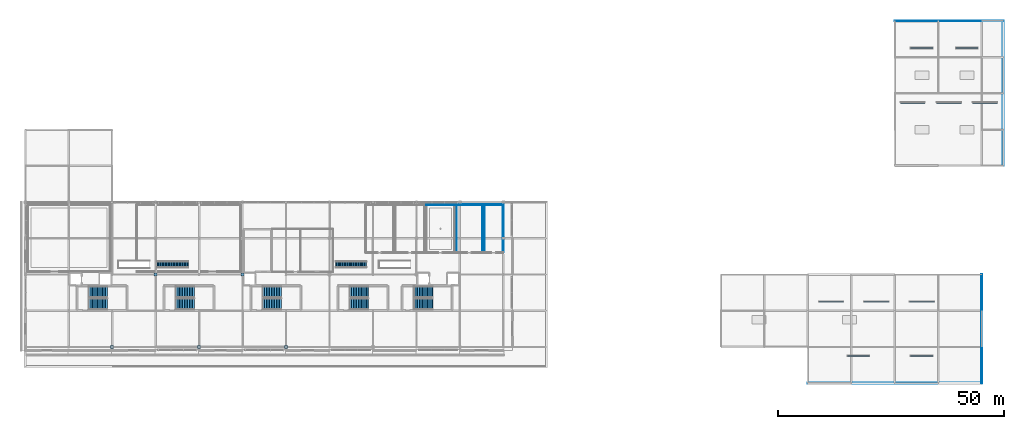
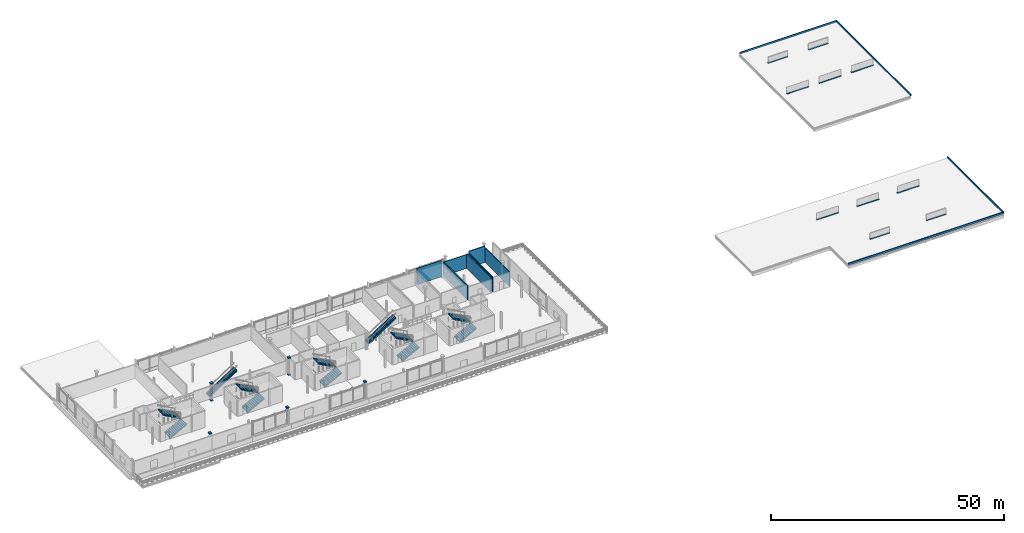
# One storey, part 26 of 36: 17 discrete accessories, 12 stair flights, 11 walls, 7 elements without a shape of their own.
"""IFC4 building model written with IfcOpenShell, lengths in metres."""

from ifc_helpers import new_model, si_unit, direction, frame, frame_2d, origin, origin_2d, place, context, subcontext, project, spatial, polyline, rectangle, outline, extrude, material, layer, layer_set, type_object, element, aggregate, save


model = new_model("IFC4")

# Units and contexts
model_context = context("Model", 3, precision=1e-05, world=origin(), true_north=direction((0.0, 1.0)))
body_context = subcontext(model_context, "Body", "Model", "MODEL_VIEW")
ifc_project = project(units=[si_unit("LENGTHUNIT", "METRE"), si_unit("AREAUNIT", "SQUARE_METRE"), si_unit("VOLUMEUNIT", "CUBIC_METRE"), si_unit("PLANEANGLEUNIT", "RADIAN"), si_unit("MASSUNIT", "GRAM", prefix="KILO")], contexts=[model_context])

# Site, building, storey
site_placement = place(None, origin())
site = spatial("IfcSite", under=ifc_project, at=site_placement, CompositionType="ELEMENT")
building_placement = place(site_placement, origin())
building = spatial("IfcBuilding", under=site, at=building_placement, Name="Danafjord Basin Convention Centre", CompositionType="ELEMENT")
storey_placement = place(building_placement, frame((0.0, 0.0, 20.39990234375)))
storey = spatial("IfcBuildingStorey", under=building, at=storey_placement, Name="L04", CompositionType="ELEMENT", Elevation=20.39990234375)

# Walls
ifc_material_1 = material(Name="Precast concrete C40/50", Category="concrete")
ifc_layer_1 = layer(ifc_material_1, 0.1650390625)
ifc_layer_set_1 = layer_set([ifc_layer_1], Name="Precast concrete C40/50")
wall_type_1 = type_object("IfcWallType", Name="WALL-EW-PRP165", PredefinedType="PARAPET", material=ifc_layer_set_1)
wall_1_placement = place(storey_placement, frame((192.0, 80.0, -0.419921875), z_axis=(0.0, 0.0, 1.0), x_axis=(1.0, 0.0, 0.0)))
element("IfcWall", 1, at=wall_1_placement, inside=storey, type_object=wall_type_1, Name="L04 precast roof curb upstand EW-PRP165", PredefinedType="PARAPET", context=body_context, shape_type="SweptSolid", body=[
    extrude(rectangle(XDim=24.0, YDim=0.1650390625, at=frame_2d((12.0, 0.0))), origin(), (0.0, 0.0, 1.0), 0.469970703125),
])
wall_2_placement = place(storey_placement, frame((216.0, 48.0, -0.419921875), z_axis=(0.0, 0.0, 1.0), x_axis=(0.0, 1.0, 0.0)))
element("IfcWall", 2, at=wall_2_placement, inside=storey, type_object=wall_type_1, Name="L04 precast roof curb upstand EW-PRP165", PredefinedType="PARAPET", context=body_context, shape_type="SweptSolid", body=[
    extrude(rectangle(XDim=32.0, YDim=0.1650390625, at=frame_2d((16.0, 0.0))), origin(), (0.0, 0.0, 1.0), 0.469970703125),
])
ifc_layer_2 = layer(ifc_material_1, 0.18994140625)
ifc_layer_set_2 = layer_set([ifc_layer_2], Name="Precast concrete C40/50")
wall_type_2 = type_object("IfcWallType", Name="WALL-EW-PRP190", PredefinedType="PARAPET", material=ifc_layer_set_2)
wall_3_placement = place(storey_placement, frame((172.800048828125, 0.0, -0.419921875), z_axis=(0.0, 0.0, 1.0), x_axis=(1.0, 0.0, 0.0)))
element("IfcWall", 3, at=wall_3_placement, inside=storey, type_object=wall_type_2, Name="L04 precast roof curb upstand EW-PRP190", PredefinedType="PARAPET", context=body_context, shape_type="SweptSolid", body=[
    extrude(rectangle(XDim=38.39990234375, YDim=0.18994140625, at=frame_2d((19.199951171875, 0.0))), origin(), (0.0, 0.0, 1.0), 0.469970703125),
])
wall_4_placement = place(storey_placement, frame((211.199951171875, 0.0, -0.419921875), z_axis=(0.0, 0.0, 1.0), x_axis=(0.0, 1.0, 0.0)))
element("IfcWall", 4, at=wall_4_placement, inside=storey, type_object=wall_type_2, Name="L04 precast roof curb upstand EW-PRP190", PredefinedType="PARAPET", context=body_context, shape_type="SweptSolid", body=[
    extrude(rectangle(XDim=24.0, YDim=0.18994140625, at=frame_2d((12.0, 0.0))), origin(), (0.0, 0.0, 1.0), 0.469970703125),
])
ifc_material_2 = material(Name="Acoustic double-board gypsum stud partition")
ifc_layer_3 = layer(ifc_material_2, 0.175048828125)
ifc_layer_set_3 = layer_set([ifc_layer_3], Name="Acoustic double-board gypsum stud partition")
wall_type_3 = type_object("IfcWallType", Name="WALL-PT-AC175", PredefinedType="PARTITIONING", material=ifc_layer_set_3)
wall_5_placement = place(storey_placement, frame((94.70849609375, 39.39990234375, 0.0), z_axis=(0.0, 0.0, 1.0), x_axis=(-1.0, 0.0, 0.0)))
element("IfcWall", 5, at=wall_5_placement, inside=storey, type_object=wall_type_3, Name="Ambassadors Conference Lounge north partition", PredefinedType="PARTITIONING", context=body_context, shape_type="SweptSolid", body=[
    extrude(rectangle(XDim=6.1083984375, YDim=0.175048828125, at=frame_2d((3.05419921875, 0.0))), origin(), (0.0, 0.0, 1.0), 4.25),
])
ifc_material_3 = material(Name="Concrete C35/45", Category="concrete")
ifc_layer_4 = layer(ifc_material_3, 0.205078125)
ifc_layer_set_4 = layer_set([ifc_layer_4], Name="Concrete C35/45")
wall_type_4 = type_object("IfcWallType", Name="WALL-W-COMP205", PredefinedType="SOLIDWALL", material=ifc_layer_set_4)
wall_6_placement = place(storey_placement, frame((101.0, 28.906494140625, 0.0), z_axis=(0.0, 0.0, 1.0), x_axis=(0.0, 1.0, 0.0)))
element("IfcWall", 6, at=wall_6_placement, inside=storey, type_object=wall_type_4, Name="Diplomatic Catering Kitchen east partition", PredefinedType="SOLIDWALL", context=body_context, shape_type="SweptSolid", body=[
    extrude(rectangle(XDim=10.493408203125, YDim=0.205078125, at=frame_2d((5.24658203125, 0.0))), origin(), (0.0, 0.0, 1.0), 3.840087890625),
])
wall_7_placement = place(storey_placement, frame((100.8935546875, 39.39990234375, 0.0), z_axis=(0.0, 0.0, 1.0), x_axis=(-1.0, 0.0, 0.0)))
element("IfcWall", 7, at=wall_7_placement, inside=storey, type_object=wall_type_4, Name="Diplomatic Catering Kitchen north partition", PredefinedType="SOLIDWALL", context=body_context, shape_type="SweptSolid", body=[
    extrude(rectangle(XDim=5.693603515625, YDim=0.205078125, at=frame_2d((2.8466796875, 0.0))), origin(), (0.0, 0.0, 1.0), 3.6201171875),
])
wall_8_placement = place(storey_placement, frame((95.199951171875, 39.29345703125, 0.0), z_axis=(0.0, 0.0, 1.0), x_axis=(0.0, -1.0, 0.0)))
element("IfcWall", 8, at=wall_8_placement, inside=storey, type_object=wall_type_4, Name="Diplomatic Catering Kitchen west partition", PredefinedType="SOLIDWALL", context=body_context, shape_type="SweptSolid", body=[
    extrude(rectangle(XDim=10.386962890625, YDim=0.205078125, at=frame_2d((5.193359375, 0.0))), origin(), (0.0, 0.0, 1.0), 3.72998046875),
])
wall_9_placement = place(storey_placement, frame((105.56005859375, 28.906494140625, 0.0), z_axis=(0.0, 0.0, 1.0), x_axis=(0.0, 1.0, 0.0)))
element("IfcWall", 9, at=wall_9_placement, inside=storey, type_object=wall_type_4, Name="Protocol Furniture Crate Store east partition", PredefinedType="SOLIDWALL", context=body_context, shape_type="SweptSolid", body=[
    extrude(rectangle(XDim=10.493408203125, YDim=0.205078125, at=frame_2d((5.24658203125, 0.0))), origin(), (0.0, 0.0, 1.0), 3.780029296875),
])
wall_10_placement = place(storey_placement, frame((105.45361328125, 39.39990234375, 0.0), z_axis=(0.0, 0.0, 1.0), x_axis=(-1.0, 0.0, 0.0)))
element("IfcWall", 10, at=wall_10_placement, inside=storey, type_object=wall_type_4, Name="Protocol Furniture Crate Store north partition", PredefinedType="SOLIDWALL", context=body_context, shape_type="SweptSolid", body=[
    extrude(rectangle(XDim=4.0537109375, YDim=0.205078125, at=frame_2d((2.02685546875, 0.0))), origin(), (0.0, 0.0, 1.0), 4.260009765625),
])
wall_11_placement = place(storey_placement, frame((101.39990234375, 39.29345703125, 0.0), z_axis=(0.0, 0.0, 1.0), x_axis=(0.0, -1.0, 0.0)))
element("IfcWall", 11, at=wall_11_placement, inside=storey, type_object=wall_type_4, Name="Protocol Furniture Crate Store west partition", PredefinedType="SOLIDWALL", context=body_context, shape_type="SweptSolid", body=[
    extrude(rectangle(XDim=10.386962890625, YDim=0.205078125, at=frame_2d((5.193359375, 0.0))), origin(), (0.0, 0.0, 1.0), 3.840087890625),
])

# Stair, stair flights
ifc_material_4 = material(Name="Concrete C40/50", Category="concrete")
stair_type_1 = type_object("IfcStairType", Name="STAIR-STR-C01", PredefinedType="TWO_STRAIGHT_RUN_STAIR", material=ifc_material_4)
stair_1_placement = place(storey_placement, origin())
stair_1 = element("IfcStair", 12, at=stair_1_placement, inside=storey, type_object=stair_type_1, Name="L04 West Harbour Core Stair 1", PredefinedType="HALF_TURN_STAIR")
stair_flight_type = type_object("IfcStairFlightType", Name="SFLT-STD", PredefinedType="STRAIGHT", material=ifc_material_1)
stair_flight_1_placement = place(storey_placement, frame((14.1298828125, 17.4599609375, 0.0), z_axis=(0.0, 0.0, 1.0), x_axis=(1.0, 0.0, 0.0)))
stair_flight_1 = element("IfcStairFlight", 13, at=stair_flight_1_placement, type_object=stair_flight_type, Name="ST-01 flight 1", NumberOfRisers=12, NumberOfTreads=11, PredefinedType="STRAIGHT", RiserHeight=0.1875, TreadLength=0.365, context=body_context, shape_type="SweptSolid", body=[
    extrude(outline(polyline([(-0.06494140625, -0.14990234375), (-0.06494140625, -0.00390625), (0.0, -0.00390625), (0.0, 0.1875), (0.364990234375, 0.1875), (0.364990234375, 0.375), (0.72998046875, 0.375), (0.72998046875, 0.5625), (1.094970703125, 0.5625), (1.094970703125, 0.75), (1.4599609375, 0.75), (1.4599609375, 0.9375), (1.824951171875, 0.9375), (1.824951171875, 1.125), (2.18994140625, 1.125), (2.18994140625, 1.3125), (2.554931640625, 1.3125), (2.554931640625, 1.5), (2.919921875, 1.5), (2.919921875, 1.6875), (3.284912109375, 1.6875), (3.284912109375, 1.875), (3.64990234375, 1.875), (3.64990234375, 2.0625), (4.014892578125, 2.0625), (4.014892578125, 2.25), (4.080078125, 2.24609375), (4.080078125, 1.89404296875), (0.328125, -0.14990234375), (-0.06494140625, -0.14990234375)])), frame((0.0, 1.25, 0.0), z_axis=(0.0, -1.0, 0.0), x_axis=(1.0, 0.0, 0.0)), (0.0, 0.0, 1.0), 2.5),
])
stair_flight_2_placement = place(storey_placement, frame((18.14501953125, 20.10009765625, 2.25), z_axis=(0.0, 0.0, 1.0), x_axis=(-1.0, 0.0, 0.0)))
stair_flight_2 = element("IfcStairFlight", 14, at=stair_flight_2_placement, type_object=stair_flight_type, Name="ST-01 flight 2", NumberOfRisers=12, NumberOfTreads=11, PredefinedType="STRAIGHT", RiserHeight=0.1875, TreadLength=0.365, context=body_context, shape_type="SweptSolid", body=[
    extrude(outline(polyline([(-0.06494140625, -0.14990234375), (-0.06494140625, -0.00390625), (0.0, -0.00390625), (0.0, 0.1875), (0.364990234375, 0.1875), (0.364990234375, 0.375), (0.72998046875, 0.375), (0.72998046875, 0.5625), (1.094970703125, 0.5625), (1.094970703125, 0.75), (1.4599609375, 0.75), (1.4599609375, 0.9375), (1.824951171875, 0.9375), (1.824951171875, 1.125), (2.18994140625, 1.125), (2.18994140625, 1.3125), (2.554931640625, 1.3125), (2.554931640625, 1.5), (2.919921875, 1.5), (2.919921875, 1.6875), (3.284912109375, 1.6875), (3.284912109375, 1.875), (3.64990234375, 1.875), (3.64990234375, 2.0625), (4.014892578125, 2.0625), (4.014892578125, 2.25), (4.080078125, 2.24609375), (4.080078125, 1.89404296875), (0.328125, -0.14990234375), (-0.06494140625, -0.14990234375)])), frame((0.0, 1.25, 0.0), z_axis=(0.0, -1.0, 0.0), x_axis=(1.0, 0.0, 0.0)), (0.0, 0.0, 1.0), 2.5),
])
aggregate(stair_1, [stair_flight_1, stair_flight_2])

stair_2_placement = place(storey_placement, origin())
stair_2 = element("IfcStair", 15, at=stair_2_placement, inside=storey, type_object=stair_type_1, Name="L04 Central Harbour Core Stair 1", PredefinedType="HALF_TURN_STAIR")
stair_flight_3_placement = place(storey_placement, frame((85.929931640625, 17.4599609375, 0.0), z_axis=(0.0, 0.0, 1.0), x_axis=(1.0, 0.0, 0.0)))
stair_flight_3 = element("IfcStairFlight", 16, at=stair_flight_3_placement, type_object=stair_flight_type, Name="ST-03 flight 1", NumberOfRisers=12, NumberOfTreads=11, PredefinedType="STRAIGHT", RiserHeight=0.1875, TreadLength=0.365, context=body_context, shape_type="SweptSolid", body=[
    extrude(outline(polyline([(-0.06494140625, -0.14990234375), (-0.06494140625, -0.00390625), (0.0, -0.00390625), (0.0, 0.1875), (0.364990234375, 0.1875), (0.364990234375, 0.375), (0.72998046875, 0.375), (0.72998046875, 0.5625), (1.094970703125, 0.5625), (1.094970703125, 0.75), (1.4599609375, 0.75), (1.4599609375, 0.9375), (1.824951171875, 0.9375), (1.824951171875, 1.125), (2.18994140625, 1.125), (2.18994140625, 1.3125), (2.554931640625, 1.3125), (2.554931640625, 1.5), (2.919921875, 1.5), (2.919921875, 1.6875), (3.284912109375, 1.6875), (3.284912109375, 1.875), (3.64990234375, 1.875), (3.64990234375, 2.0625), (4.014892578125, 2.0625), (4.014892578125, 2.25), (4.080078125, 2.24609375), (4.080078125, 1.89404296875), (0.328125, -0.14990234375), (-0.06494140625, -0.14990234375)])), frame((0.0, 1.25, 0.0), z_axis=(0.0, -1.0, 0.0), x_axis=(1.0, 0.0, 0.0)), (0.0, 0.0, 1.0), 2.5),
])
stair_flight_4_placement = place(storey_placement, frame((89.945068359375, 20.10009765625, 2.25), z_axis=(0.0, 0.0, 1.0), x_axis=(-1.0, 0.0, 0.0)))
stair_flight_4 = element("IfcStairFlight", 17, at=stair_flight_4_placement, type_object=stair_flight_type, Name="ST-03 flight 2", NumberOfRisers=12, NumberOfTreads=11, PredefinedType="STRAIGHT", RiserHeight=0.1875, TreadLength=0.365, context=body_context, shape_type="SweptSolid", body=[
    extrude(outline(polyline([(-0.06494140625, -0.14990234375), (-0.06494140625, -0.00390625), (0.0, -0.00390625), (0.0, 0.1875), (0.364990234375, 0.1875), (0.364990234375, 0.375), (0.72998046875, 0.375), (0.72998046875, 0.5625), (1.094970703125, 0.5625), (1.094970703125, 0.75), (1.4599609375, 0.75), (1.4599609375, 0.9375), (1.824951171875, 0.9375), (1.824951171875, 1.125), (2.18994140625, 1.125), (2.18994140625, 1.3125), (2.554931640625, 1.3125), (2.554931640625, 1.5), (2.919921875, 1.5), (2.919921875, 1.6875), (3.284912109375, 1.6875), (3.284912109375, 1.875), (3.64990234375, 1.875), (3.64990234375, 2.0625), (4.014892578125, 2.0625), (4.014892578125, 2.25), (4.080078125, 2.24609375), (4.080078125, 1.89404296875), (0.328125, -0.14990234375), (-0.06494140625, -0.14990234375)])), frame((0.0, 1.25, 0.0), z_axis=(0.0, -1.0, 0.0), x_axis=(1.0, 0.0, 0.0)), (0.0, 0.0, 1.0), 2.5),
])
aggregate(stair_2, [stair_flight_3, stair_flight_4])

stair_3_placement = place(storey_placement, origin())
stair_3 = element("IfcStair", 18, at=stair_3_placement, inside=storey, type_object=stair_type_1, Name="L04 Mid-Arc Meeting Core Stair 1", PredefinedType="HALF_TURN_STAIR")
stair_flight_5_placement = place(storey_placement, frame((52.530029296875, 17.4599609375, 0.0), z_axis=(0.0, 0.0, 1.0), x_axis=(1.0, 0.0, 0.0)))
stair_flight_5 = element("IfcStairFlight", 19, at=stair_flight_5_placement, type_object=stair_flight_type, Name="ST-05 flight 1", NumberOfRisers=12, NumberOfTreads=11, PredefinedType="STRAIGHT", RiserHeight=0.1875, TreadLength=0.365, context=body_context, shape_type="SweptSolid", body=[
    extrude(outline(polyline([(-0.06494140625, -0.14990234375), (-0.06494140625, -0.00390625), (0.0, -0.00390625), (0.0, 0.1875), (0.364990234375, 0.1875), (0.364990234375, 0.375), (0.72998046875, 0.375), (0.72998046875, 0.5625), (1.094970703125, 0.5625), (1.094970703125, 0.75), (1.4599609375, 0.75), (1.4599609375, 0.9375), (1.824951171875, 0.9375), (1.824951171875, 1.125), (2.18994140625, 1.125), (2.18994140625, 1.3125), (2.554931640625, 1.3125), (2.554931640625, 1.5), (2.919921875, 1.5), (2.919921875, 1.6875), (3.284912109375, 1.6875), (3.284912109375, 1.875), (3.64990234375, 1.875), (3.64990234375, 2.0625), (4.014892578125, 2.0625), (4.014892578125, 2.25), (4.080078125, 2.24609375), (4.080078125, 1.89404296875), (0.328125, -0.14990234375), (-0.06494140625, -0.14990234375)])), frame((0.0, 1.25, 0.0), z_axis=(0.0, -1.0, 0.0), x_axis=(1.0, 0.0, 0.0)), (0.0, 0.0, 1.0), 2.5),
])
stair_flight_6_placement = place(storey_placement, frame((56.544921875, 20.10009765625, 2.25), z_axis=(0.0, 0.0, 1.0), x_axis=(-1.0, 0.0, 0.0)))
stair_flight_6 = element("IfcStairFlight", 20, at=stair_flight_6_placement, type_object=stair_flight_type, Name="ST-05 flight 2", NumberOfRisers=12, NumberOfTreads=11, PredefinedType="STRAIGHT", RiserHeight=0.1875, TreadLength=0.365, context=body_context, shape_type="SweptSolid", body=[
    extrude(outline(polyline([(-0.06494140625, -0.14990234375), (-0.06494140625, -0.00390625), (0.0, -0.00390625), (0.0, 0.1875), (0.364990234375, 0.1875), (0.364990234375, 0.375), (0.72998046875, 0.375), (0.72998046875, 0.5625), (1.094970703125, 0.5625), (1.094970703125, 0.75), (1.4599609375, 0.75), (1.4599609375, 0.9375), (1.824951171875, 0.9375), (1.824951171875, 1.125), (2.18994140625, 1.125), (2.18994140625, 1.3125), (2.554931640625, 1.3125), (2.554931640625, 1.5), (2.919921875, 1.5), (2.919921875, 1.6875), (3.284912109375, 1.6875), (3.284912109375, 1.875), (3.64990234375, 1.875), (3.64990234375, 2.0625), (4.014892578125, 2.0625), (4.014892578125, 2.25), (4.080078125, 2.24609375), (4.080078125, 1.89404296875), (0.328125, -0.14990234375), (-0.06494140625, -0.14990234375)])), frame((0.0, 1.25, 0.0), z_axis=(0.0, -1.0, 0.0), x_axis=(1.0, 0.0, 0.0)), (0.0, 0.0, 1.0), 2.5),
])
aggregate(stair_3, [stair_flight_5, stair_flight_6])

stair_4_placement = place(storey_placement, origin())
stair_4 = element("IfcStair", 21, at=stair_4_placement, inside=storey, type_object=stair_type_1, Name="L04 West Harbour Escape Stair 2", PredefinedType="HALF_TURN_STAIR")
stair_flight_7_placement = place(storey_placement, frame((33.330078125, 17.4599609375, 0.0), z_axis=(0.0, 0.0, 1.0), x_axis=(1.0, 0.0, 0.0)))
stair_flight_7 = element("IfcStairFlight", 22, at=stair_flight_7_placement, type_object=stair_flight_type, Name="ST-02 flight 1", NumberOfRisers=12, NumberOfTreads=11, PredefinedType="STRAIGHT", RiserHeight=0.1875, TreadLength=0.365, context=body_context, shape_type="SweptSolid", body=[
    extrude(outline(polyline([(-0.06494140625, -0.14990234375), (-0.06494140625, -0.00390625), (0.0, -0.00390625), (0.0, 0.1875), (0.364990234375, 0.1875), (0.364990234375, 0.375), (0.72998046875, 0.375), (0.72998046875, 0.5625), (1.094970703125, 0.5625), (1.094970703125, 0.75), (1.4599609375, 0.75), (1.4599609375, 0.9375), (1.824951171875, 0.9375), (1.824951171875, 1.125), (2.18994140625, 1.125), (2.18994140625, 1.3125), (2.554931640625, 1.3125), (2.554931640625, 1.5), (2.919921875, 1.5), (2.919921875, 1.6875), (3.284912109375, 1.6875), (3.284912109375, 1.875), (3.64990234375, 1.875), (3.64990234375, 2.0625), (4.014892578125, 2.0625), (4.014892578125, 2.25), (4.080078125, 2.24609375), (4.080078125, 1.89404296875), (0.328125, -0.14990234375), (-0.06494140625, -0.14990234375)])), frame((0.0, 1.25, 0.0), z_axis=(0.0, -1.0, 0.0), x_axis=(1.0, 0.0, 0.0)), (0.0, 0.0, 1.0), 2.5),
])
stair_flight_8_placement = place(storey_placement, frame((37.344970703125, 20.10009765625, 2.25), z_axis=(0.0, 0.0, 1.0), x_axis=(-1.0, 0.0, 0.0)))
stair_flight_8 = element("IfcStairFlight", 23, at=stair_flight_8_placement, type_object=stair_flight_type, Name="ST-02 flight 2", NumberOfRisers=12, NumberOfTreads=11, PredefinedType="STRAIGHT", RiserHeight=0.1875, TreadLength=0.365, context=body_context, shape_type="SweptSolid", body=[
    extrude(outline(polyline([(-0.06494140625, -0.14990234375), (-0.06494140625, -0.00390625), (0.0, -0.00390625), (0.0, 0.1875), (0.364990234375, 0.1875), (0.364990234375, 0.375), (0.72998046875, 0.375), (0.72998046875, 0.5625), (1.094970703125, 0.5625), (1.094970703125, 0.75), (1.4599609375, 0.75), (1.4599609375, 0.9375), (1.824951171875, 0.9375), (1.824951171875, 1.125), (2.18994140625, 1.125), (2.18994140625, 1.3125), (2.554931640625, 1.3125), (2.554931640625, 1.5), (2.919921875, 1.5), (2.919921875, 1.6875), (3.284912109375, 1.6875), (3.284912109375, 1.875), (3.64990234375, 1.875), (3.64990234375, 2.0625), (4.014892578125, 2.0625), (4.014892578125, 2.25), (4.080078125, 2.24609375), (4.080078125, 1.89404296875), (0.328125, -0.14990234375), (-0.06494140625, -0.14990234375)])), frame((0.0, 1.25, 0.0), z_axis=(0.0, -1.0, 0.0), x_axis=(1.0, 0.0, 0.0)), (0.0, 0.0, 1.0), 2.5),
])
aggregate(stair_4, [stair_flight_7, stair_flight_8])

stair_5_placement = place(storey_placement, origin())
stair_5 = element("IfcStair", 24, at=stair_5_placement, inside=storey, type_object=stair_type_1, Name="L04 Mid-Arc Escape Stair 2", PredefinedType="HALF_TURN_STAIR")
stair_flight_9_placement = place(storey_placement, frame((71.72998046875, 17.4599609375, 0.0), z_axis=(0.0, 0.0, 1.0), x_axis=(1.0, 0.0, 0.0)))
stair_flight_9 = element("IfcStairFlight", 25, at=stair_flight_9_placement, type_object=stair_flight_type, Name="ST-06 flight 1", NumberOfRisers=12, NumberOfTreads=11, PredefinedType="STRAIGHT", RiserHeight=0.1875, TreadLength=0.365, context=body_context, shape_type="SweptSolid", body=[
    extrude(outline(polyline([(-0.06494140625, -0.14990234375), (-0.06494140625, -0.00390625), (0.0, -0.00390625), (0.0, 0.1875), (0.364990234375, 0.1875), (0.364990234375, 0.375), (0.72998046875, 0.375), (0.72998046875, 0.5625), (1.094970703125, 0.5625), (1.094970703125, 0.75), (1.4599609375, 0.75), (1.4599609375, 0.9375), (1.824951171875, 0.9375), (1.824951171875, 1.125), (2.18994140625, 1.125), (2.18994140625, 1.3125), (2.554931640625, 1.3125), (2.554931640625, 1.5), (2.919921875, 1.5), (2.919921875, 1.6875), (3.284912109375, 1.6875), (3.284912109375, 1.875), (3.64990234375, 1.875), (3.64990234375, 2.0625), (4.014892578125, 2.0625), (4.014892578125, 2.25), (4.080078125, 2.24609375), (4.080078125, 1.89404296875), (0.328125, -0.14990234375), (-0.06494140625, -0.14990234375)])), frame((0.0, 1.25, 0.0), z_axis=(0.0, -1.0, 0.0), x_axis=(1.0, 0.0, 0.0)), (0.0, 0.0, 1.0), 2.5),
])
stair_flight_10_placement = place(storey_placement, frame((75.7451171875, 20.10009765625, 2.25), z_axis=(0.0, 0.0, 1.0), x_axis=(-1.0, 0.0, 0.0)))
stair_flight_10 = element("IfcStairFlight", 26, at=stair_flight_10_placement, type_object=stair_flight_type, Name="ST-06 flight 2", NumberOfRisers=12, NumberOfTreads=11, PredefinedType="STRAIGHT", RiserHeight=0.1875, TreadLength=0.365, context=body_context, shape_type="SweptSolid", body=[
    extrude(outline(polyline([(-0.06494140625, -0.14990234375), (-0.06494140625, -0.00390625), (0.0, -0.00390625), (0.0, 0.1875), (0.364990234375, 0.1875), (0.364990234375, 0.375), (0.72998046875, 0.375), (0.72998046875, 0.5625), (1.094970703125, 0.5625), (1.094970703125, 0.75), (1.4599609375, 0.75), (1.4599609375, 0.9375), (1.824951171875, 0.9375), (1.824951171875, 1.125), (2.18994140625, 1.125), (2.18994140625, 1.3125), (2.554931640625, 1.3125), (2.554931640625, 1.5), (2.919921875, 1.5), (2.919921875, 1.6875), (3.284912109375, 1.6875), (3.284912109375, 1.875), (3.64990234375, 1.875), (3.64990234375, 2.0625), (4.014892578125, 2.0625), (4.014892578125, 2.25), (4.080078125, 2.24609375), (4.080078125, 1.89404296875), (0.328125, -0.14990234375), (-0.06494140625, -0.14990234375)])), frame((0.0, 1.25, 0.0), z_axis=(0.0, -1.0, 0.0), x_axis=(1.0, 0.0, 0.0)), (0.0, 0.0, 1.0), 2.5),
])
aggregate(stair_5, [stair_flight_9, stair_flight_10])

# Stair, stair flight
stair_type_2 = type_object("IfcStairType", Name="STAIR-STR-F01", PredefinedType="STRAIGHT_RUN_STAIR", material=ifc_material_4)
stair_6_placement = place(storey_placement, origin())
stair_6 = element("IfcStair", 27, at=stair_6_placement, inside=storey, type_object=stair_type_2, Name="Step-2 to Step-3 West Sky Stair", PredefinedType="STRAIGHT_RUN_STAIR")
stair_flight_11_placement = place(storey_placement, frame((29.199951171875, 26.199951171875, 0.0), z_axis=(0.0, 0.0, 1.0), x_axis=(1.0, 0.0, 0.0)))
stair_flight_11 = element("IfcStairFlight", 28, at=stair_flight_11_placement, type_object=stair_flight_type, Name="Step-2 to Step-3 West Sky Stair flight", NumberOfRisers=26, NumberOfTreads=25, PredefinedType="STRAIGHT", RiserHeight=0.173077, TreadLength=0.27, context=body_context, shape_type="SweptSolid", body=[
    extrude(outline(polyline([(-0.06494140625, -0.159912109375), (-0.06494140625, -0.00390625), (0.0, -0.00390625), (0.0, 0.173095703125), (0.27001953125, 0.173095703125), (0.27001953125, 0.34619140625), (0.5400390625, 0.34619140625), (0.5400390625, 0.519287109375), (0.81005859375, 0.519287109375), (0.81005859375, 0.6923828125), (1.080078125, 0.6923828125), (1.080078125, 0.865478515625), (1.35009765625, 0.865478515625), (1.35009765625, 1.03857421875), (1.6201171875, 1.03857421875), (1.6201171875, 1.21142578125), (1.889892578125, 1.21142578125), (1.889892578125, 1.384521484375), (2.159912109375, 1.384521484375), (2.159912109375, 1.5576171875), (2.429931640625, 1.5576171875), (2.429931640625, 1.730712890625), (2.699951171875, 1.730712890625), (2.699951171875, 1.90380859375), (2.969970703125, 1.90380859375), (2.969970703125, 2.076904296875), (3.239990234375, 2.076904296875), (3.239990234375, 2.25), (3.510009765625, 2.25), (3.510009765625, 2.423095703125), (3.780029296875, 2.423095703125), (3.780029296875, 2.59619140625), (4.050048828125, 2.59619140625), (4.050048828125, 2.769287109375), (4.320068359375, 2.769287109375), (4.320068359375, 2.9423828125), (4.590087890625, 2.9423828125), (4.590087890625, 3.115478515625), (4.860107421875, 3.115478515625), (4.860107421875, 3.28857421875), (5.1298828125, 3.28857421875), (5.1298828125, 3.46142578125), (5.39990234375, 3.46142578125), (5.39990234375, 3.634521484375), (5.669921875, 3.634521484375), (5.669921875, 3.8076171875), (5.93994140625, 3.8076171875), (5.93994140625, 3.980712890625), (6.2099609375, 3.980712890625), (6.2099609375, 4.15380859375), (6.47998046875, 4.15380859375), (6.47998046875, 4.326904296875), (6.75, 4.326904296875), (6.75, 4.5), (6.81494140625, 4.49609375), (6.81494140625, 4.065673828125), (0.40771484375, -0.159912109375), (-0.06494140625, -0.159912109375)])), frame((0.0, 0.699951171875, 0.0), z_axis=(0.0, -1.0, 0.0), x_axis=(1.0, 0.0, 0.0)), (0.0, 0.0, 1.0), 1.39990234375),
])
aggregate(stair_6, [stair_flight_11])

stair_7_placement = place(storey_placement, origin())
stair_7 = element("IfcStair", 29, at=stair_7_placement, inside=storey, type_object=stair_type_2, Name="Step-2 to Step-3 East Sky Stair", PredefinedType="STRAIGHT_RUN_STAIR")
stair_flight_12_placement = place(storey_placement, frame((68.60009765625, 26.199951171875, 0.0), z_axis=(0.0, 0.0, 1.0), x_axis=(1.0, 0.0, 0.0)))
stair_flight_12 = element("IfcStairFlight", 30, at=stair_flight_12_placement, type_object=stair_flight_type, Name="Step-2 to Step-3 East Sky Stair flight", NumberOfRisers=26, NumberOfTreads=25, PredefinedType="STRAIGHT", RiserHeight=0.173077, TreadLength=0.27, context=body_context, shape_type="SweptSolid", body=[
    extrude(outline(polyline([(-0.06494140625, -0.159912109375), (-0.06494140625, -0.00390625), (0.0, -0.00390625), (0.0, 0.173095703125), (0.27001953125, 0.173095703125), (0.27001953125, 0.34619140625), (0.5400390625, 0.34619140625), (0.5400390625, 0.519287109375), (0.81005859375, 0.519287109375), (0.81005859375, 0.6923828125), (1.080078125, 0.6923828125), (1.080078125, 0.865478515625), (1.35009765625, 0.865478515625), (1.35009765625, 1.03857421875), (1.6201171875, 1.03857421875), (1.6201171875, 1.21142578125), (1.889892578125, 1.21142578125), (1.889892578125, 1.384521484375), (2.159912109375, 1.384521484375), (2.159912109375, 1.5576171875), (2.429931640625, 1.5576171875), (2.429931640625, 1.730712890625), (2.699951171875, 1.730712890625), (2.699951171875, 1.90380859375), (2.969970703125, 1.90380859375), (2.969970703125, 2.076904296875), (3.239990234375, 2.076904296875), (3.239990234375, 2.25), (3.510009765625, 2.25), (3.510009765625, 2.423095703125), (3.780029296875, 2.423095703125), (3.780029296875, 2.59619140625), (4.050048828125, 2.59619140625), (4.050048828125, 2.769287109375), (4.320068359375, 2.769287109375), (4.320068359375, 2.9423828125), (4.590087890625, 2.9423828125), (4.590087890625, 3.115478515625), (4.860107421875, 3.115478515625), (4.860107421875, 3.28857421875), (5.1298828125, 3.28857421875), (5.1298828125, 3.46142578125), (5.39990234375, 3.46142578125), (5.39990234375, 3.634521484375), (5.669921875, 3.634521484375), (5.669921875, 3.8076171875), (5.93994140625, 3.8076171875), (5.93994140625, 3.980712890625), (6.2099609375, 3.980712890625), (6.2099609375, 4.15380859375), (6.47998046875, 4.15380859375), (6.47998046875, 4.326904296875), (6.75, 4.326904296875), (6.75, 4.5), (6.81494140625, 4.49609375), (6.81494140625, 4.065673828125), (0.40771484375, -0.159912109375), (-0.06494140625, -0.159912109375)])), frame((0.0, 0.699951171875, 0.0), z_axis=(0.0, -1.0, 0.0), x_axis=(1.0, 0.0, 0.0)), (0.0, 0.0, 1.0), 1.39990234375),
])
aggregate(stair_7, [stair_flight_12])

# Discrete accessories
ifc_material_5 = material(Name="Stainless steel EN 1.4404", Category="steel")
discrete_accessory_type_1 = type_object("IfcDiscreteAccessoryType", Name="ACC-FIN-BRK", PredefinedType="BRACKET", material=ifc_material_5)
for number, where, z_axis, x_axis, name in (
    (31, (198.0, 74.0, -0.48974609375), (0.0, 0.0, 1.0), (1.0, 0.0, 0.0), "Louvre base curb shoe"),
    (32, (208.0, 74.0, -0.48974609375), (0.0, 0.0, 1.0), (1.0, 0.0, 0.0), "Louvre base curb shoe"),
    (33, (184.0, 6.0, -0.48974609375), (0.0, 0.0, 1.0), (1.0, 0.0, 0.0), "Louvre base curb shoe"),
    (34, (198.0, 6.0, -0.48974609375), (0.0, 0.0, 1.0), (1.0, 0.0, 0.0), "Louvre base curb shoe"),
):
    element("IfcDiscreteAccessory", number, at=place(storey_placement, frame(where, z_axis=z_axis, x_axis=x_axis)), inside=storey, type_object=discrete_accessory_type_1, Name=name, PredefinedType="BRACKET", context=body_context, shape_type="SweptSolid", body=[
        extrude(rectangle(XDim=4.800048828125, YDim=0.300048828125, at=origin_2d()), origin(), (0.0, 0.0, 1.0), 0.179931640625),
    ])
for number, where, z_axis, x_axis, name in (
    (35, (196.0, 62.0, -0.48974609375), (0.0, 0.0, 1.0), (1.0, 0.0, 0.0), "Acoustic screen base shoe"),
    (36, (204.0, 62.0, -0.48974609375), (0.0, 0.0, 1.0), (1.0, 0.0, 0.0), "Acoustic screen base shoe"),
    (37, (212.0, 62.0, -0.48974609375), (0.0, 0.0, 1.0), (1.0, 0.0, 0.0), "Acoustic screen base shoe"),
    (38, (178.0, 18.0, -0.48974609375), (0.0, 0.0, 1.0), (1.0, 0.0, 0.0), "Acoustic screen base shoe"),
    (39, (188.0, 18.0, -0.48974609375), (0.0, 0.0, 1.0), (1.0, 0.0, 0.0), "Acoustic screen base shoe"),
    (40, (198.0, 18.0, -0.48974609375), (0.0, 0.0, 1.0), (1.0, 0.0, 0.0), "Acoustic screen base shoe"),
):
    element("IfcDiscreteAccessory", number, at=place(storey_placement, frame(where, z_axis=z_axis, x_axis=x_axis)), inside=storey, type_object=discrete_accessory_type_1, Name=name, PredefinedType="BRACKET", context=body_context, shape_type="SweptSolid", body=[
        extrude(rectangle(XDim=5.39990234375, YDim=0.280029296875, at=origin_2d()), origin(), (0.0, 0.0, 1.0), 0.179931640625),
    ])
ifc_material_6 = material(Name="Steel S355", Category="steel")
discrete_accessory_type_2 = type_object("IfcDiscreteAccessoryType", Name="ACC-SF-HUB", PredefinedType="BRACKET", material=ifc_material_6)
for number, where, z_axis, x_axis, name in (
    (41, (19.199951171875, 8.0, 4.33984375), (0.0, 0.0, 1.0), (1.0, 0.0, 0.0), "Tubular steel column top cap plate"),
    (42, (28.800048828125, 24.0, -0.16015625), (0.0, 0.0, 1.0), (1.0, 0.0, 0.0), "Tubular steel column transition collar"),
    (43, (28.800048828125, 24.0, 4.33984375), (0.0, 0.0, 1.0), (1.0, 0.0, 0.0), "Tubular steel column top cap plate"),
    (44, (38.39990234375, 8.0, 4.33984375), (0.0, 0.0, 1.0), (1.0, 0.0, 0.0), "Tubular steel column top cap plate"),
    (45, (48.0, 24.0, -0.16015625), (0.0, 0.0, 1.0), (1.0, 0.0, 0.0), "Tubular steel column transition collar"),
    (46, (48.0, 24.0, 4.33984375), (0.0, 0.0, 1.0), (1.0, 0.0, 0.0), "Tubular steel column top cap plate"),
    (47, (57.60009765625, 8.0, 4.33984375), (0.0, 0.0, 1.0), (1.0, 0.0, 0.0), "Tubular steel column top cap plate"),
):
    element("IfcDiscreteAccessory", number, at=place(storey_placement, frame(where, z_axis=z_axis, x_axis=x_axis)), inside=storey, type_object=discrete_accessory_type_2, Name=name, PredefinedType="BRACKET", context=body_context, shape_type="SweptSolid", body=[
        extrude(rectangle(XDim=0.6201171875, YDim=0.6201171875, at=origin_2d()), origin(), (0.0, 0.0, 1.0), 0.320068359375),
    ])

save(model, "model.ifc")
